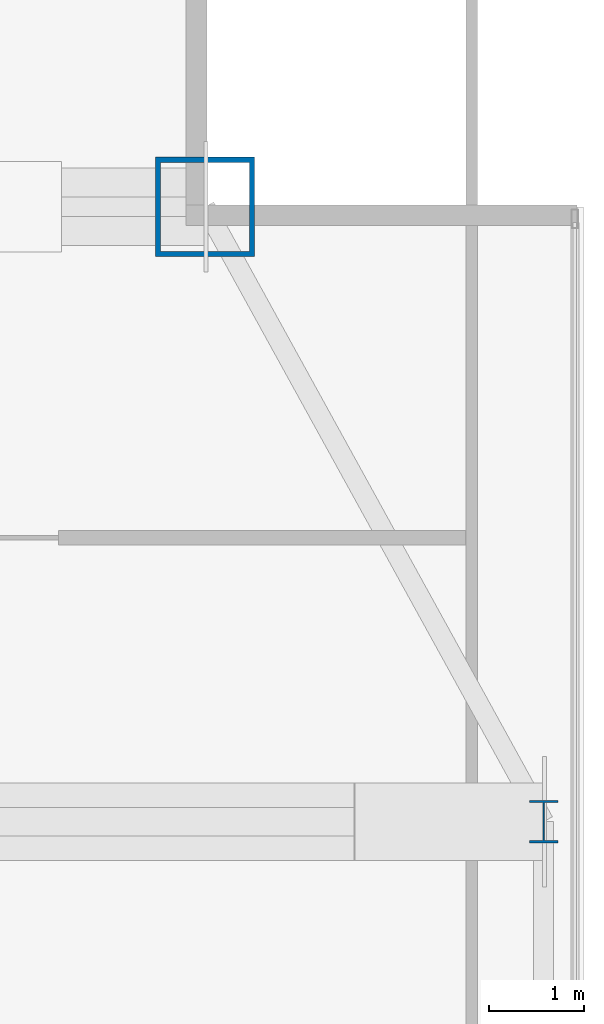
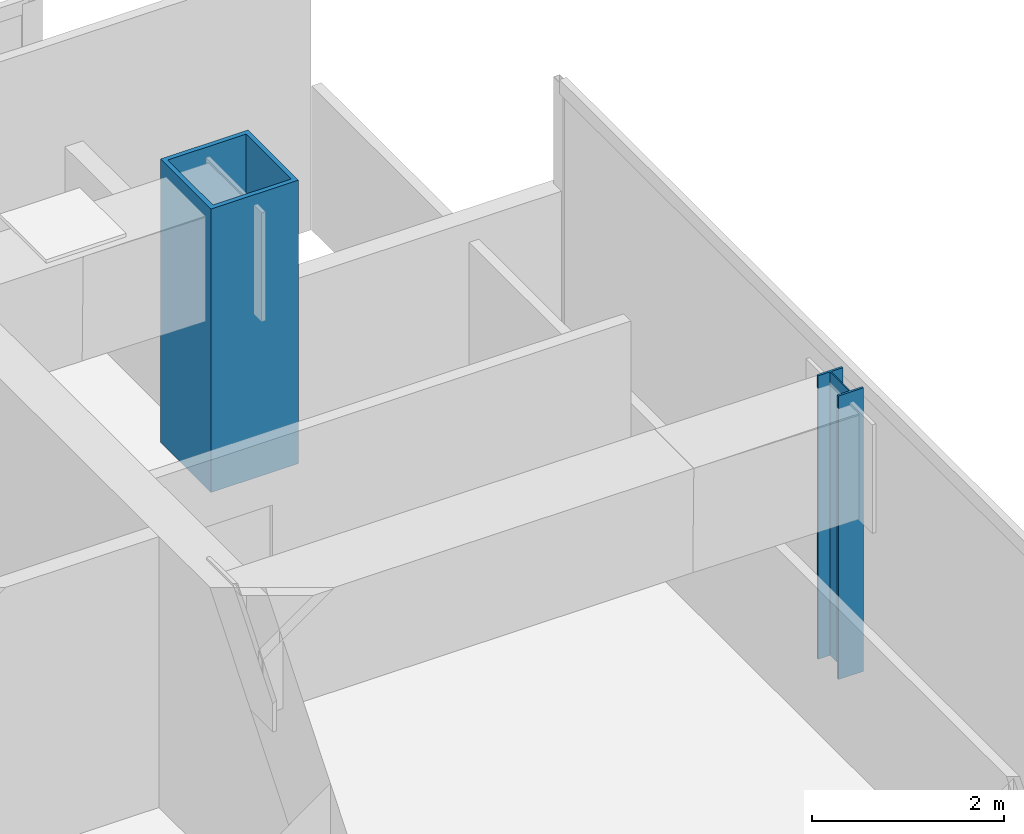
# One storey, part 4 of 26: 2 columns.
"""IFC4 building model written with IfcOpenShell, lengths in metres."""

from ifc_helpers import new_model, si_unit, direction, frame, origin, origin_2d, place, context, subcontext, project, spatial, hollow_rectangle, i_section, extrude, material, material_profile, profile_set, type_object, element, save


model = new_model("IFC4")

# Units and contexts
model_context = context("Model", 3, precision=1e-05, world=origin(), true_north=direction((0.0, 1.0)))
body_context = subcontext(model_context, "Body", "Model", "MODEL_VIEW")
ifc_project = project(units=[si_unit("LENGTHUNIT", "METRE"), si_unit("AREAUNIT", "SQUARE_METRE"), si_unit("VOLUMEUNIT", "CUBIC_METRE"), si_unit("PLANEANGLEUNIT", "RADIAN"), si_unit("MASSUNIT", "GRAM", prefix="KILO")], contexts=[model_context])

# Site, building, storey
site_placement = place(None, origin())
site = spatial("IfcSite", under=ifc_project, at=site_placement, CompositionType="ELEMENT")
building_placement = place(site_placement, origin())
building = spatial("IfcBuilding", under=site, at=building_placement, Name="Khoronbel Lancet Exchange", CompositionType="ELEMENT")
storey_placement = place(building_placement, frame((0.0, 0.0, 287.800048828125)))
storey = spatial("IfcBuildingStorey", under=building, at=storey_placement, Name="L74", CompositionType="ELEMENT", Elevation=287.800048828125)

# Columns
ifc_material_1 = material(Name="Steel S355", Category="steel")
ifc_material_profile_1 = material_profile(ifc_material_1, i_section(OverallWidth=0.300048828125, OverallDepth=0.449951171875, WebThickness=0.013916015625, FlangeThickness=0.02587890625, at=origin_2d()), Name="HEB 450")
ifc_profile_set_1 = profile_set([ifc_material_profile_1], Name="Steel S355")
column_type_1 = type_object("IfcColumnType", Name="COL-LC2", PredefinedType="COLUMN", material=ifc_profile_set_1)
column_1_placement = place(storey_placement, frame((63.6298828125, 43.199951171875, 0.0), z_axis=(0.0, 0.0, 1.0), x_axis=(1.0, 0.0, 0.0)))
element("IfcColumn", 1, at=column_1_placement, inside=storey, type_object=column_type_1, Name="Structural column EC-4 L74", PredefinedType="COLUMN", context=body_context, shape_type="SweptSolid", body=[
    extrude(i_section(OverallWidth=0.300048828125, OverallDepth=0.449951171875, WebThickness=0.013916015625, FlangeThickness=0.02587890625, at=origin_2d()), origin(), (0.0, 0.0, 1.0), 3.599853515625),
])
ifc_material_2 = material(Name="Steel S460", Category="steel")
ifc_material_profile_2 = material_profile(ifc_material_2, hollow_rectangle(XDim=1.050048828125, YDim=1.050048828125, WallThickness=0.054931640625, at=origin_2d()), Name="BOX 1050x1050x55")
ifc_profile_set_2 = profile_set([ifc_material_profile_2], Name="Steel S460")
column_type_2 = type_object("IfcColumnType", Name="COL-MC6", PredefinedType="COLUMN", material=ifc_profile_set_2)
column_2_placement = place(storey_placement, frame((60.050048828125, 49.699951171875, 0.0), z_axis=(0.0, 0.0, 1.0), x_axis=(1.0, 0.0, 0.0)))
element("IfcColumn", 2, at=column_2_placement, inside=storey, type_object=column_type_2, Name="Structural column MC-NE L74", PredefinedType="COLUMN", context=body_context, shape_type="SweptSolid", body=[
    extrude(hollow_rectangle(XDim=1.050048828125, YDim=1.050048828125, WallThickness=0.054931640625, at=origin_2d()), origin(), (0.0, 0.0, 1.0), 3.599853515625),
])

save(model, "model.ifc")
